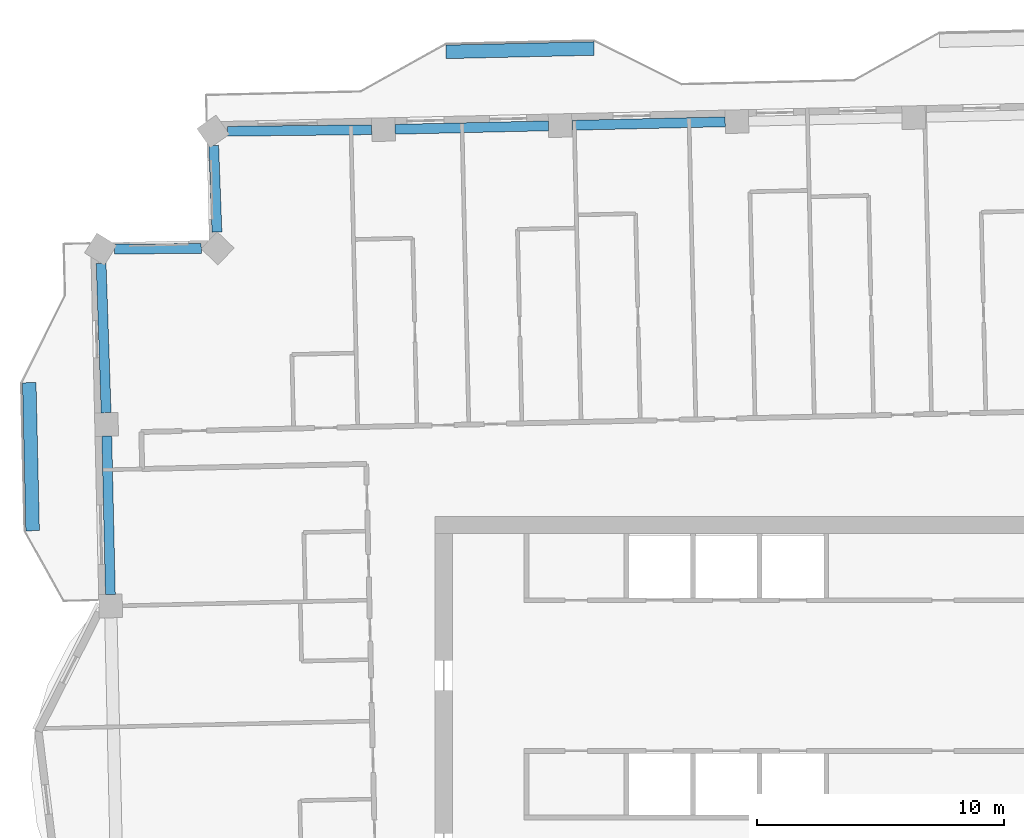
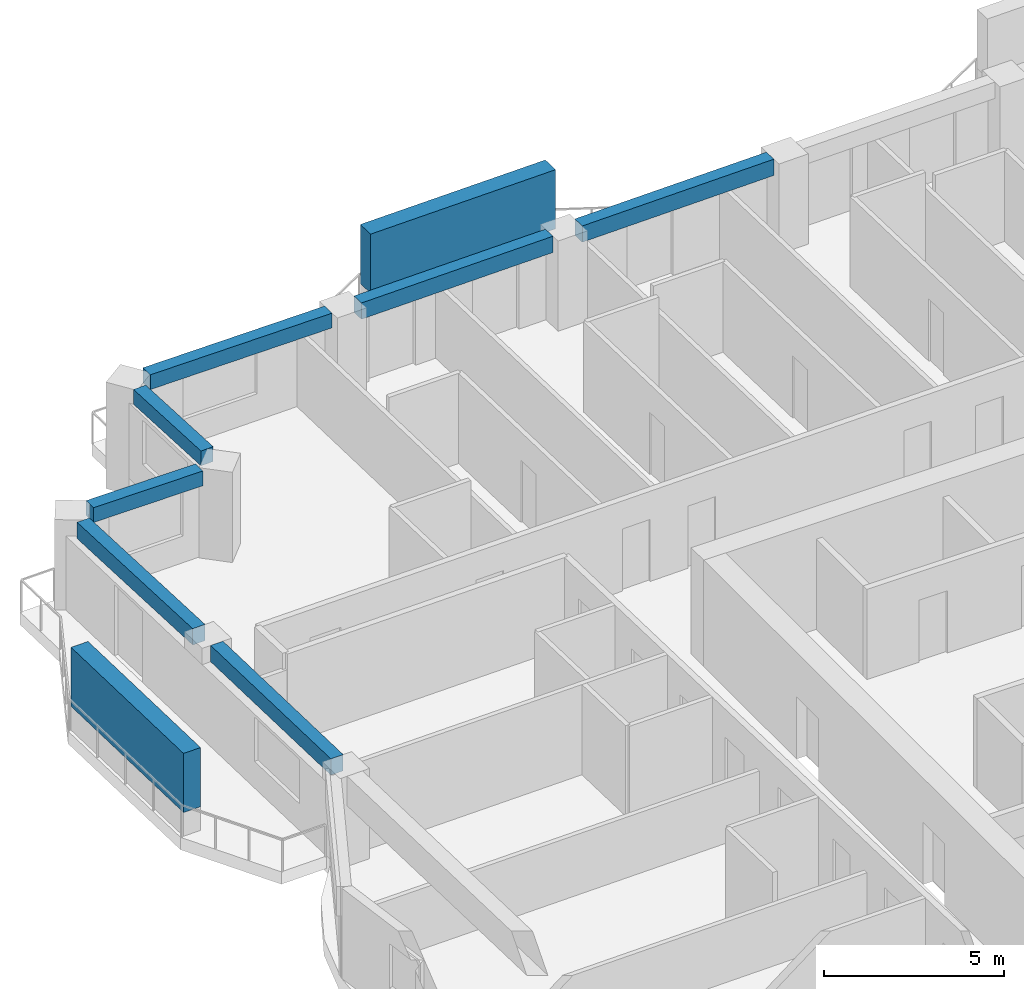
# One storey, part 3 of 19: 7 beams, 2 members.
"""IFC4 building model written with IfcOpenShell, lengths in metres."""

from ifc_helpers import new_model, si_unit, direction, frame, origin, origin_2d, place, context, subcontext, project, spatial, rectangle, extrude, material, material_profile, profile_set, type_object, element, save


model = new_model("IFC4")

# Units and contexts
model_context = context("Model", 3, precision=1e-05, world=origin(), true_north=direction((0.0, 1.0)))
body_context = subcontext(model_context, "Body", "Model", "MODEL_VIEW")
ifc_project = project(units=[si_unit("LENGTHUNIT", "METRE"), si_unit("AREAUNIT", "SQUARE_METRE"), si_unit("VOLUMEUNIT", "CUBIC_METRE"), si_unit("PLANEANGLEUNIT", "RADIAN"), si_unit("MASSUNIT", "GRAM", prefix="KILO")], contexts=[model_context])

# Site, building, storey
site_placement = place(None, origin())
site = spatial("IfcSite", under=ifc_project, at=site_placement, CompositionType="ELEMENT")
building_placement = place(site_placement, origin())
building = spatial("IfcBuilding", under=site, at=building_placement, Name="Mangrove Gate Tower", CompositionType="ELEMENT")
storey_placement = place(building_placement, frame((0.0, 0.0, 283.5)))
storey = spatial("IfcBuildingStorey", under=building, at=storey_placement, Name="L72", CompositionType="ELEMENT", Elevation=283.5)

# Members
ifc_material_1 = material(Name="Planting on aluminium trellis", Category="aluminium")
ifc_material_profile_1 = material_profile(ifc_material_1, rectangle(XDim=0.550048828125, YDim=2.0, at=origin_2d()))
ifc_profile_set_1 = profile_set([ifc_material_profile_1], Name="Planting on aluminium trellis")
member_type = type_object("IfcMemberType", Name="Balcony greenery screen 550x2000", PredefinedType="USERDEFINED", material=ifc_profile_set_1)
member_1_placement = place(storey_placement, frame((-14.054931640625, 30.31689453125, 1.800048828125), z_axis=(0.999743178102, 0.022662255828, 0.0), x_axis=(-0.022662255828, 0.999743178102, 0.0)))
element("IfcMember", 1, at=member_1_placement, inside=storey, type_object=member_type, Name="GREEN SCREEN L72 N1.1", ObjectType="PLANTING", PredefinedType="USERDEFINED", context=body_context, shape_type="SweptSolid", body=[
    extrude(rectangle(XDim=0.550048828125, YDim=2.0, at=origin_2d()), origin(), (0.0, 0.0, 1.0), 6.00048828125),
])
member_2_placement = place(storey_placement, frame((-30.802001953125, 10.9169921875, 1.800048828125), z_axis=(-0.022665943652, 0.999743094499, 0.0), x_axis=(-0.999743094499, -0.022665943652, 0.0)))
element("IfcMember", 2, at=member_2_placement, inside=storey, type_object=member_type, Name="GREEN SCREEN L72 W0.1", ObjectType="PLANTING", PredefinedType="USERDEFINED", context=body_context, shape_type="SweptSolid", body=[
    extrude(rectangle(XDim=0.550048828125, YDim=2.0, at=origin_2d()), origin(), (0.0, 0.0, 1.0), 5.99951171875),
])

# Beams
ifc_material_2 = material(Name="Concrete C50/60", Category="concrete")
ifc_material_profile_2 = material_profile(ifc_material_2, rectangle(XDim=0.39990234375, YDim=0.5, at=origin_2d()))
ifc_profile_set_2 = profile_set([ifc_material_profile_2], Name="Concrete C50/60")
beam_type_1 = type_object("IfcBeamType", Name="Edge beam RC 400x500 C50/60", PredefinedType="BEAM", material=ifc_profile_set_2)
beam_1_placement = place(storey_placement, frame((-17.064208984375, 27.163818359375, 2.800048828125), z_axis=(-0.999938328847, -0.011105786867, 0.0), x_axis=(0.011105786867, -0.999938328847, 0.0)))
element("IfcBeam", 3, at=beam_1_placement, inside=storey, type_object=beam_type_1, Name="Edge beam L72 28", PredefinedType="BEAM", context=body_context, shape_type="SweptSolid", body=[
    extrude(rectangle(XDim=0.39990234375, YDim=0.5, at=origin_2d()), origin(), (0.0, 0.0, 1.0), 5.847412109375),
])
beam_2_placement = place(storey_placement, frame((-23.46630859375, 26.52685546875, 2.800048828125), z_axis=(0.037803278798, -0.999285200587, 0.0), x_axis=(0.999285200587, 0.037803278798, 0.0)))
element("IfcBeam", 4, at=beam_2_placement, inside=storey, type_object=beam_type_1, Name="Edge beam L72 29", PredefinedType="BEAM", context=body_context, shape_type="SweptSolid", body=[
    extrude(rectangle(XDim=0.39990234375, YDim=0.5, at=origin_2d()), origin(), (0.0, 0.0, 1.0), 3.51318359375),
])
beam_3_placement = place(storey_placement, frame((-23.9697265625, 22.3505859375, 2.800048828125), z_axis=(-0.999978236017, -0.006597536803, 0.0), x_axis=(0.006597536803, -0.999978236017, 0.0)))
element("IfcBeam", 5, at=beam_3_placement, inside=storey, type_object=beam_type_1, Name="Edge beam L72 30", PredefinedType="BEAM", context=body_context, shape_type="SweptSolid", body=[
    extrude(rectangle(XDim=0.39990234375, YDim=0.5, at=origin_2d()), origin(), (0.0, 0.0, 1.0), 3.515380859375),
])
ifc_material_3 = material(Name="Concrete C50/60", Category="concrete")
ifc_material_profile_3 = material_profile(ifc_material_3, rectangle(XDim=0.39990234375, YDim=0.550048828125, at=origin_2d()))
ifc_profile_set_3 = profile_set([ifc_material_profile_3], Name="Concrete C50/60")
beam_type_2 = type_object("IfcBeamType", Name="Edge beam RC 400x550 C50/60", PredefinedType="BEAM", material=ifc_profile_set_3)
beam_4_placement = place(storey_placement, frame((-2.7431640625, 27.4833984375, 2.77490234375), z_axis=(-0.999741125002, -0.022752647749, 0.0), x_axis=(0.022752647749, -0.999741125002, 0.0)))
element("IfcBeam", 6, at=beam_4_placement, inside=storey, type_object=beam_type_2, Name="Edge beam L72 26", PredefinedType="BEAM", context=body_context, shape_type="SweptSolid", body=[
    extrude(rectangle(XDim=0.39990234375, YDim=0.550048828125, at=origin_2d()), origin(), (0.0, 0.0, 1.0), 6.212890625),
])
beam_5_placement = place(storey_placement, frame((-9.904052734375, 27.3203125, 2.77490234375), z_axis=(-0.999744607867, -0.022599093821, 0.0), x_axis=(0.022599093821, -0.999744607867, 0.0)))
element("IfcBeam", 7, at=beam_5_placement, inside=storey, type_object=beam_type_2, Name="Edge beam L72 27", PredefinedType="BEAM", context=body_context, shape_type="SweptSolid", body=[
    extrude(rectangle(XDim=0.39990234375, YDim=0.550048828125, at=origin_2d()), origin(), (0.0, 0.0, 1.0), 6.211669921875),
])
beam_6_placement = place(storey_placement, frame((-28.027099609375, 21.7529296875, 2.77490234375), z_axis=(0.033530874291, -0.999437682134, 0.0), x_axis=(0.999437682134, 0.033530874291, 0.0)))
element("IfcBeam", 8, at=beam_6_placement, inside=storey, type_object=beam_type_2, Name="Edge beam L72 31", PredefinedType="BEAM", context=body_context, shape_type="SweptSolid", body=[
    extrude(rectangle(XDim=0.39990234375, YDim=0.550048828125, at=origin_2d()), origin(), (0.0, 0.0, 1.0), 6.057861328125),
])
beam_7_placement = place(storey_placement, frame((-27.79736328125, 14.748779296875, 2.77490234375), z_axis=(0.022693727478, -0.999742464204, 0.0), x_axis=(0.999742464204, 0.022693727478, 0.0)))
element("IfcBeam", 9, at=beam_7_placement, inside=storey, type_object=beam_type_2, Name="Edge beam L72 32", PredefinedType="BEAM", context=body_context, shape_type="SweptSolid", body=[
    extrude(rectangle(XDim=0.39990234375, YDim=0.550048828125, at=origin_2d()), origin(), (0.0, 0.0, 1.0), 6.411865234375),
])

save(model, "model.ifc")
